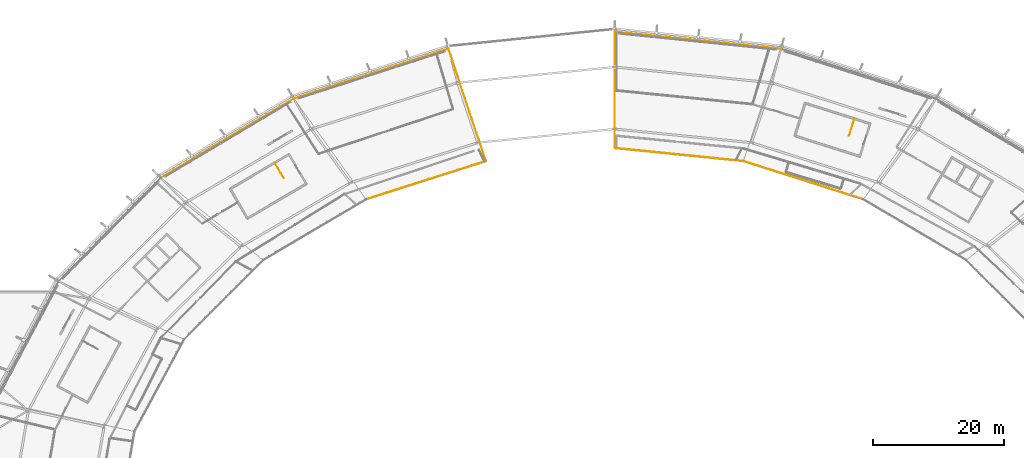
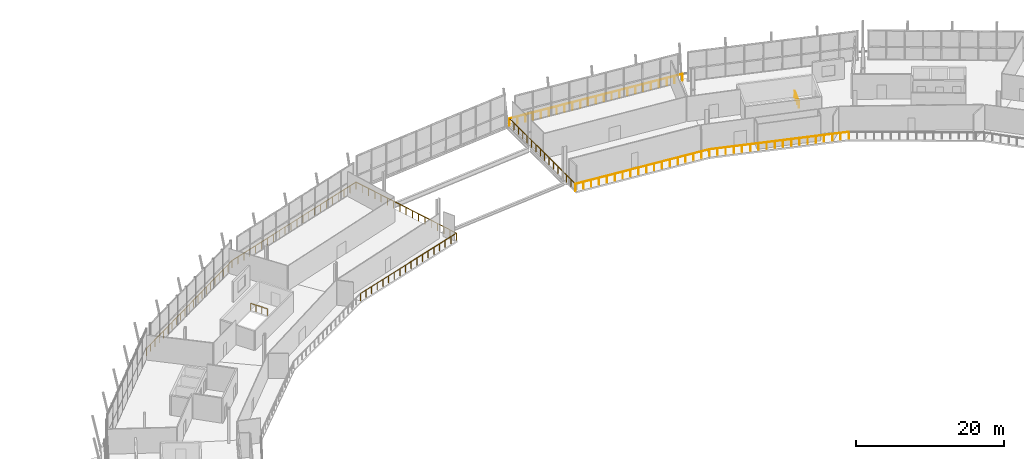
# One storey, part 98 of 99: 10 railings.
"""IFC4 building model written with IfcOpenShell, lengths in metres."""

import ifcopenshell
import ifcopenshell.guid

model = None  # the IFC model being written
_history = None  # IfcOwnerHistory: only IFC2X3 demands one
_inside = {}  # id of a spatial element -> (the spatial element, [elements in it])
_under = {}  # id of a project, library or spatial element -> (it, [spatial elements below it])
_declared = {}  # id of a project -> (the project, [libraries it declares])
_typed = {}  # id of a type object -> (the type object, [elements of that type])
_made_of = {}  # id of a material, layer set ... -> (it, [elements and type objects made of it])


def new_model(schema):
    """Start an empty IFC model of exactly this schema.

    Asked for "IFC4X3", IfcOpenShell would pick the latest addendum, in which some entities
    have other attributes; the version numbers below select the first issue.
    IFC2X3 requires an IfcOwnerHistory on every rooted entity: one is made here for all.
    """
    global model, _history
    if schema == "IFC4X3":
        model = ifcopenshell.file(schema_version=(4, 3, 0, 0))
    else:
        model = ifcopenshell.file(schema=schema)
    _inside.clear()
    _under.clear()
    _declared.clear()
    _typed.clear()
    _made_of.clear()
    _history = None
    if model.schema == "IFC2X3":
        org = make("IfcOrganization", Name="unknown")
        user = make(
            "IfcPersonAndOrganization",
            ThePerson=make("IfcPerson", FamilyName="unknown"),
            TheOrganization=org,
        )
        app = make(
            "IfcApplication",
            ApplicationDeveloper=org,
            Version="unknown",
            ApplicationFullName="unknown",
            ApplicationIdentifier="unknown",
        )
        _history = make(
            "IfcOwnerHistory",
            OwningUser=user,
            OwningApplication=app,
            ChangeAction="ADDED",
            CreationDate=0,
        )
    return model


def make(cls, **values):
    """One entity of the class cls with the attributes given. An attribute that is None is left unset."""
    return model.create_entity(
        cls, **{name: value for name, value in values.items() if value is not None}
    )


def rooted(cls, **values):
    """An entity with a GlobalId (a new one), such as an element, a storey or a relation."""
    return make(cls, GlobalId=ifcopenshell.guid.new(), OwnerHistory=_history, **values)


def si_unit(unit_type, name, prefix=None):
    """IfcSIUnit, for example si_unit("LENGTHUNIT", "METRE", prefix="MILLI")."""
    return make("IfcSIUnit", UnitType=unit_type, Prefix=prefix, Name=name)


def assignment(units):
    """IfcUnitAssignment: the units of a project."""
    return None if units is None else make("IfcUnitAssignment", Units=units)


def point(xyz):
    """IfcCartesianPoint."""
    return None if xyz is None else make("IfcCartesianPoint", Coordinates=xyz)


def direction(xyz):
    """IfcDirection."""
    return None if xyz is None else make("IfcDirection", DirectionRatios=xyz)


def frame(location, z_axis=None, x_axis=None):
    """IfcAxis2Placement3D, a coordinate frame: its origin and axes. An axis left out is left unset."""
    return make(
        "IfcAxis2Placement3D",
        Location=point(location),
        Axis=direction(z_axis),
        RefDirection=direction(x_axis),
    )


def frame_2d(location, x_axis=None):
    """IfcAxis2Placement2D, a coordinate frame in the plane: its origin and x axis."""
    return make(
        "IfcAxis2Placement2D", Location=point(location), RefDirection=direction(x_axis)
    )


def origin():
    """The frame at (0, 0, 0) with its axes left unset."""
    return frame((0.0, 0.0, 0.0))


def origin_2d():
    """The frame at (0, 0) in the plane with its x axis left unset."""
    return frame_2d((0.0, 0.0))


def place(relative_to, where):
    """IfcLocalPlacement: puts the frame where relative to a parent placement (None: the world)."""
    return make(
        "IfcLocalPlacement", PlacementRelTo=relative_to, RelativePlacement=where
    )


def context(
    kind, dimensions, precision=None, world=None, true_north=None, identifier=None
):
    """IfcGeometricRepresentationContext, for example the 3D "Model" context."""
    return make(
        "IfcGeometricRepresentationContext",
        ContextIdentifier=identifier,
        ContextType=kind,
        CoordinateSpaceDimension=dimensions,
        Precision=precision,
        WorldCoordinateSystem=world,
        TrueNorth=true_north,
    )


def subcontext(parent, identifier, kind, view, scale=None):
    """IfcGeometricRepresentationSubContext, for example "Body" below "Model"."""
    return make(
        "IfcGeometricRepresentationSubContext",
        ContextIdentifier=identifier,
        ContextType=kind,
        ParentContext=parent,
        TargetScale=scale,
        TargetView=view,
    )


def project(units=None, contexts=None):
    """IfcProject with its units and contexts."""
    return rooted(
        "IfcProject",
        Name="project",
        RepresentationContexts=contexts,
        UnitsInContext=assignment(units),
    )


def spatial(cls, under=None, at=None, **own):
    """A site, building, storey or space (cls), placed at a placement, below another one or the project."""
    s = rooted(cls, ObjectPlacement=at, **own)
    if under is not None:
        _under.setdefault(under.id(), (under, []))[1].append(s)
    return s


def profile(cls, at=None, kind="AREA", **sizes):
    """A parametric profile (cls). Its sizes go by their IFC names, for example OverallWidth=200.0."""
    return make(cls, ProfileType=kind, Position=at, **sizes)


def rectangle(**sizes):
    """IfcRectangleProfileDef."""
    return profile("IfcRectangleProfileDef", **sizes)


def extrude(swept, where, along, depth):
    """IfcExtrudedAreaSolid: the profile swept, set in the frame where, extruded along a direction by depth."""
    return make(
        "IfcExtrudedAreaSolid",
        SweptArea=swept,
        Position=where,
        ExtrudedDirection=direction(along),
        Depth=depth,
    )


def shape(context_of_items, identifier, shape_type, items):
    """IfcShapeRepresentation: the items that make up one representation, for example the "Body"."""
    return make(
        "IfcShapeRepresentation",
        ContextOfItems=context_of_items,
        RepresentationIdentifier=identifier,
        RepresentationType=shape_type,
        Items=items,
    )


def material(Name=None, Category=None):
    """IfcMaterial."""
    return make("IfcMaterial", Name=Name, Category=Category)


def made_of(thing, what):
    """Note that an element or type object is made of a material, layer set ...; save() writes the relation."""
    if what is not None:
        _made_of.setdefault(what.id(), (what, []))[1].append(thing)
    return thing


def type_object(cls, material=None, **own):
    """A type object (cls), such as IfcWallType, which elements share."""
    return made_of(rooted(cls, **own), material)


def element(
    cls,
    number,
    at=None,
    inside=None,
    cuts=None,
    type_object=None,
    material=None,
    context=None,
    identifier="Body",
    shape_type=None,
    held_by="IfcProductDefinitionShape",
    body=None,
    shapes=None,
    **own,
):
    """One element of the class cls, such as IfcWall. Its Tag is "e" and its number.

    at: its placement. inside: the storey or other place that contains it. cuts: it is an
    opening in that element (IfcRelVoidsElement). A single representation is given by context,
    identifier, shape_type and body (its items); several are given by shapes. held_by: the class
    of the entity that holds the representations. save() writes the other relations.
    """
    e = rooted(cls, Tag="e%d" % number, ObjectPlacement=at, **own)
    if body is not None:
        shapes = [shape(context, identifier, shape_type, body)]
    if shapes is not None:
        e.Representation = make(held_by, Representations=shapes)
    if inside is not None:
        _inside.setdefault(inside.id(), (inside, []))[1].append(e)
    if cuts is not None:
        rooted(
            "IfcRelVoidsElement", RelatingBuildingElement=cuts, RelatedOpeningElement=e
        )
    if type_object is not None:
        _typed.setdefault(type_object.id(), (type_object, []))[1].append(e)
    return made_of(e, material)


def aggregate(whole, parts):
    """IfcRelAggregates: a whole, such as a stair, and the parts it consists of."""
    return rooted("IfcRelAggregates", RelatingObject=whole, RelatedObjects=parts)


def save(model, path):
    """Write the relations noted so far, then the file.

    IfcRelAggregates (storeys below a building ...), IfcRelContainedInSpatialStructure (elements
    in a storey), IfcRelDefinesByType, IfcRelAssociatesMaterial and IfcRelDeclares: one each for
    every whole, place, type object, material and project.
    """
    for whole, parts in _under.values():
        aggregate(whole, parts)
    for where, things in _inside.values():
        rooted(
            "IfcRelContainedInSpatialStructure",
            RelatedElements=things,
            RelatingStructure=where,
        )
    for kind, things in _typed.values():
        rooted("IfcRelDefinesByType", RelatedObjects=things, RelatingType=kind)
    for what, things in _made_of.values():
        rooted("IfcRelAssociatesMaterial", RelatedObjects=things, RelatingMaterial=what)
    for by, libraries in _declared.values():
        rooted("IfcRelDeclares", RelatingContext=by, RelatedDefinitions=libraries)
    model.write(path)


model = new_model("IFC4")

# Units and contexts
model_context = context("Model", 3, precision=1e-05, world=origin(), true_north=direction((0.0, 1.0)))
body_context = subcontext(model_context, "Body", "Model", "MODEL_VIEW")
ifc_project = project(units=[si_unit("LENGTHUNIT", "METRE"), si_unit("AREAUNIT", "SQUARE_METRE"), si_unit("VOLUMEUNIT", "CUBIC_METRE"), si_unit("PLANEANGLEUNIT", "RADIAN"), si_unit("MASSUNIT", "GRAM", prefix="KILO")], contexts=[model_context])

# Site, building, storey
site_placement = place(None, origin())
site = spatial("IfcSite", under=ifc_project, at=site_placement, CompositionType="ELEMENT")
building_placement = place(site_placement, origin())
building = spatial("IfcBuilding", under=site, at=building_placement, Name="Zlatoyarsky Gate Stadium", CompositionType="ELEMENT")
storey_placement = place(building_placement, frame((0.0, 0.0, 26.199951171875)))
storey = spatial("IfcBuildingStorey", under=building, at=storey_placement, Name="L05", CompositionType="ELEMENT", Elevation=26.199951171875)

# Railings
ifc_material_1 = material(Name="Powder-coated steel tubular guardrail", Category="steel")
railing_type_1 = type_object("IfcRailingType", Name="CONCOURSE SLAB EDGE GUARDRAIL 1200", PredefinedType="GUARDRAIL", material=ifc_material_1)
railing_1_placement = place(storey_placement, frame((149.090087890625, 130.731689453125, 0.0)))
element("IfcRailing", 1, at=railing_1_placement, inside=storey, type_object=railing_type_1, Name="L05 inner bowl edge guardrail 04", PredefinedType="GUARDRAIL", context=body_context, shape_type="SweptSolid", body=[
    extrude(rectangle(XDim=0.048095703125, YDim=0.048095703125, at=origin_2d()), frame((0.0, 0.0, 1.17578125), z_axis=(-0.952832118887, 0.303497863612, 0.0), x_axis=(-0.303497863612, -0.952832118887, 0.0)), (0.0, 0.0, 1.0), 19.28271484375),
    extrude(rectangle(XDim=0.0419921875, YDim=0.0419921875, at=origin_2d()), origin(), (0.0, 0.0, 1.0), 1.15185546875),
    extrude(rectangle(XDim=0.0419921875, YDim=0.0419921875, at=origin_2d()), frame((-1.080810546875, 0.34423828125, 0.0)), (0.0, 0.0, 1.0), 1.15185546875),
    extrude(rectangle(XDim=0.0419921875, YDim=0.0419921875, at=origin_2d()), frame((-2.16162109375, 0.6884765625, 0.0)), (0.0, 0.0, 1.0), 1.15185546875),
    extrude(rectangle(XDim=0.0419921875, YDim=0.0419921875, at=origin_2d()), frame((-3.242431640625, 1.03271484375, 0.0)), (0.0, 0.0, 1.0), 1.15185546875),
    extrude(rectangle(XDim=0.0419921875, YDim=0.0419921875, at=origin_2d()), frame((-4.3232421875, 1.376953125, 0.0)), (0.0, 0.0, 1.0), 1.15185546875),
    extrude(rectangle(XDim=0.0419921875, YDim=0.0419921875, at=origin_2d()), frame((-5.40380859375, 1.72119140625, 0.0)), (0.0, 0.0, 1.0), 1.15185546875),
    extrude(rectangle(XDim=0.0419921875, YDim=0.0419921875, at=origin_2d()), frame((-6.484619140625, 2.0654296875, 0.0)), (0.0, 0.0, 1.0), 1.15185546875),
    extrude(rectangle(XDim=0.0419921875, YDim=0.0419921875, at=origin_2d()), frame((-7.5654296875, 2.40966796875, 0.0)), (0.0, 0.0, 1.0), 1.15185546875),
    extrude(rectangle(XDim=0.0419921875, YDim=0.0419921875, at=origin_2d()), frame((-8.646240234375, 2.75390625, 0.0)), (0.0, 0.0, 1.0), 1.15185546875),
    extrude(rectangle(XDim=0.0419921875, YDim=0.0419921875, at=origin_2d()), frame((-9.72705078125, 3.098388671875, 0.0)), (0.0, 0.0, 1.0), 1.15185546875),
    extrude(rectangle(XDim=0.0419921875, YDim=0.0419921875, at=origin_2d()), frame((-10.807861328125, 3.442626953125, 0.0)), (0.0, 0.0, 1.0), 1.15185546875),
    extrude(rectangle(XDim=0.0419921875, YDim=0.0419921875, at=origin_2d()), frame((-11.888671875, 3.786865234375, 0.0)), (0.0, 0.0, 1.0), 1.15185546875),
    extrude(rectangle(XDim=0.0419921875, YDim=0.0419921875, at=origin_2d()), frame((-12.969482421875, 4.131103515625, 0.0)), (0.0, 0.0, 1.0), 1.15185546875),
    extrude(rectangle(XDim=0.0419921875, YDim=0.0419921875, at=origin_2d()), frame((-14.050048828125, 4.475341796875, 0.0)), (0.0, 0.0, 1.0), 1.15185546875),
    extrude(rectangle(XDim=0.0419921875, YDim=0.0419921875, at=origin_2d()), frame((-15.130859375, 4.819580078125, 0.0)), (0.0, 0.0, 1.0), 1.15185546875),
    extrude(rectangle(XDim=0.0419921875, YDim=0.0419921875, at=origin_2d()), frame((-16.211669921875, 5.163818359375, 0.0)), (0.0, 0.0, 1.0), 1.15185546875),
    extrude(rectangle(XDim=0.0419921875, YDim=0.0419921875, at=origin_2d()), frame((-17.29248046875, 5.508056640625, 0.0)), (0.0, 0.0, 1.0), 1.15185546875),
    extrude(rectangle(XDim=0.0419921875, YDim=0.0419921875, at=origin_2d()), frame((-18.373291015625, 5.852294921875, 0.0)), (0.0, 0.0, 1.0), 1.15185546875),
])
railing_2_placement = place(storey_placement, frame((130.716796875, 136.583984375, 0.0)))
element("IfcRailing", 2, at=railing_2_placement, inside=storey, type_object=railing_type_1, Name="L05 inner bowl edge guardrail 05", PredefinedType="GUARDRAIL", context=body_context, shape_type="SweptSolid", body=[
    extrude(rectangle(XDim=0.048095703125, YDim=0.048095703125, at=origin_2d()), frame((0.0, 0.0, 1.17578125), z_axis=(-0.99491446839, 0.100723386498, 0.0), x_axis=(-0.100723386498, -0.99491446839, 0.0)), (0.0, 0.0, 1.0), 19.817626953125),
    extrude(rectangle(XDim=0.0419921875, YDim=0.0419921875, at=origin_2d()), origin(), (0.0, 0.0, 1.0), 1.15185546875),
    extrude(rectangle(XDim=0.0419921875, YDim=0.0419921875, at=origin_2d()), frame((-1.159912109375, 0.117431640625, 0.0)), (0.0, 0.0, 1.0), 1.15185546875),
    extrude(rectangle(XDim=0.0419921875, YDim=0.0419921875, at=origin_2d()), frame((-2.319580078125, 0.23486328125, 0.0)), (0.0, 0.0, 1.0), 1.15185546875),
    extrude(rectangle(XDim=0.0419921875, YDim=0.0419921875, at=origin_2d()), frame((-3.4794921875, 0.352294921875, 0.0)), (0.0, 0.0, 1.0), 1.15185546875),
    extrude(rectangle(XDim=0.0419921875, YDim=0.0419921875, at=origin_2d()), frame((-4.63916015625, 0.4697265625, 0.0)), (0.0, 0.0, 1.0), 1.15185546875),
    extrude(rectangle(XDim=0.0419921875, YDim=0.0419921875, at=origin_2d()), frame((-5.799072265625, 0.587158203125, 0.0)), (0.0, 0.0, 1.0), 1.15185546875),
    extrude(rectangle(XDim=0.0419921875, YDim=0.0419921875, at=origin_2d()), frame((-6.958984375, 0.70458984375, 0.0)), (0.0, 0.0, 1.0), 1.15185546875),
    extrude(rectangle(XDim=0.0419921875, YDim=0.0419921875, at=origin_2d()), frame((-8.11865234375, 0.822021484375, 0.0)), (0.0, 0.0, 1.0), 1.15185546875),
    extrude(rectangle(XDim=0.0419921875, YDim=0.0419921875, at=origin_2d()), frame((-9.278564453125, 0.939453125, 0.0)), (0.0, 0.0, 1.0), 1.15185546875),
    extrude(rectangle(XDim=0.0419921875, YDim=0.0419921875, at=origin_2d()), frame((-10.438232421875, 1.056640625, 0.0)), (0.0, 0.0, 1.0), 1.15185546875),
    extrude(rectangle(XDim=0.0419921875, YDim=0.0419921875, at=origin_2d()), frame((-11.59814453125, 1.174072265625, 0.0)), (0.0, 0.0, 1.0), 1.15185546875),
    extrude(rectangle(XDim=0.0419921875, YDim=0.0419921875, at=origin_2d()), frame((-12.7578125, 1.29150390625, 0.0)), (0.0, 0.0, 1.0), 1.15185546875),
    extrude(rectangle(XDim=0.0419921875, YDim=0.0419921875, at=origin_2d()), frame((-13.917724609375, 1.408935546875, 0.0)), (0.0, 0.0, 1.0), 1.15185546875),
    extrude(rectangle(XDim=0.0419921875, YDim=0.0419921875, at=origin_2d()), frame((-15.07763671875, 1.5263671875, 0.0)), (0.0, 0.0, 1.0), 1.15185546875),
    extrude(rectangle(XDim=0.0419921875, YDim=0.0419921875, at=origin_2d()), frame((-16.2373046875, 1.643798828125, 0.0)), (0.0, 0.0, 1.0), 1.15185546875),
    extrude(rectangle(XDim=0.0419921875, YDim=0.0419921875, at=origin_2d()), frame((-17.397216796875, 1.76123046875, 0.0)), (0.0, 0.0, 1.0), 1.15185546875),
    extrude(rectangle(XDim=0.0419921875, YDim=0.0419921875, at=origin_2d()), frame((-18.556884765625, 1.878662109375, 0.0)), (0.0, 0.0, 1.0), 1.15185546875),
    extrude(rectangle(XDim=0.0419921875, YDim=0.0419921875, at=origin_2d()), frame((-19.716796875, 1.99609375, 0.0)), (0.0, 0.0, 1.0), 1.15185546875),
])
railing_3_placement = place(storey_placement, frame((91.283203125, 136.583984375, 0.0)))
element("IfcRailing", 3, at=railing_3_placement, inside=storey, type_object=railing_type_1, Name="L05 inner bowl edge guardrail 07", PredefinedType="GUARDRAIL", context=body_context, shape_type="SweptSolid", body=[
    extrude(rectangle(XDim=0.048095703125, YDim=0.048095703125, at=origin_2d()), frame((0.0, 0.0, 1.17578125), z_axis=(-0.952832118887, -0.303497863612, 0.0), x_axis=(0.303497863612, -0.952832118887, 0.0)), (0.0, 0.0, 1.0), 19.28271484375),
    extrude(rectangle(XDim=0.0419921875, YDim=0.0419921875, at=origin_2d()), origin(), (0.0, 0.0, 1.0), 1.15185546875),
    extrude(rectangle(XDim=0.0419921875, YDim=0.0419921875, at=origin_2d()), frame((-1.080810546875, -0.34423828125, 0.0)), (0.0, 0.0, 1.0), 1.15185546875),
    extrude(rectangle(XDim=0.0419921875, YDim=0.0419921875, at=origin_2d()), frame((-2.16162109375, -0.6884765625, 0.0)), (0.0, 0.0, 1.0), 1.15185546875),
    extrude(rectangle(XDim=0.0419921875, YDim=0.0419921875, at=origin_2d()), frame((-3.242431640625, -1.03271484375, 0.0)), (0.0, 0.0, 1.0), 1.15185546875),
    extrude(rectangle(XDim=0.0419921875, YDim=0.0419921875, at=origin_2d()), frame((-4.3232421875, -1.376953125, 0.0)), (0.0, 0.0, 1.0), 1.15185546875),
    extrude(rectangle(XDim=0.0419921875, YDim=0.0419921875, at=origin_2d()), frame((-5.40380859375, -1.72119140625, 0.0)), (0.0, 0.0, 1.0), 1.15185546875),
    extrude(rectangle(XDim=0.0419921875, YDim=0.0419921875, at=origin_2d()), frame((-6.484619140625, -2.0654296875, 0.0)), (0.0, 0.0, 1.0), 1.15185546875),
    extrude(rectangle(XDim=0.0419921875, YDim=0.0419921875, at=origin_2d()), frame((-7.5654296875, -2.40966796875, 0.0)), (0.0, 0.0, 1.0), 1.15185546875),
    extrude(rectangle(XDim=0.0419921875, YDim=0.0419921875, at=origin_2d()), frame((-8.646240234375, -2.75390625, 0.0)), (0.0, 0.0, 1.0), 1.15185546875),
    extrude(rectangle(XDim=0.0419921875, YDim=0.0419921875, at=origin_2d()), frame((-9.72705078125, -3.098388671875, 0.0)), (0.0, 0.0, 1.0), 1.15185546875),
    extrude(rectangle(XDim=0.0419921875, YDim=0.0419921875, at=origin_2d()), frame((-10.807861328125, -3.442626953125, 0.0)), (0.0, 0.0, 1.0), 1.15185546875),
    extrude(rectangle(XDim=0.0419921875, YDim=0.0419921875, at=origin_2d()), frame((-11.888671875, -3.786865234375, 0.0)), (0.0, 0.0, 1.0), 1.15185546875),
    extrude(rectangle(XDim=0.0419921875, YDim=0.0419921875, at=origin_2d()), frame((-12.969482421875, -4.131103515625, 0.0)), (0.0, 0.0, 1.0), 1.15185546875),
    extrude(rectangle(XDim=0.0419921875, YDim=0.0419921875, at=origin_2d()), frame((-14.050048828125, -4.475341796875, 0.0)), (0.0, 0.0, 1.0), 1.15185546875),
    extrude(rectangle(XDim=0.0419921875, YDim=0.0419921875, at=origin_2d()), frame((-15.130859375, -4.819580078125, 0.0)), (0.0, 0.0, 1.0), 1.15185546875),
    extrude(rectangle(XDim=0.0419921875, YDim=0.0419921875, at=origin_2d()), frame((-16.211669921875, -5.163818359375, 0.0)), (0.0, 0.0, 1.0), 1.15185546875),
    extrude(rectangle(XDim=0.0419921875, YDim=0.0419921875, at=origin_2d()), frame((-17.29248046875, -5.508056640625, 0.0)), (0.0, 0.0, 1.0), 1.15185546875),
    extrude(rectangle(XDim=0.0419921875, YDim=0.0419921875, at=origin_2d()), frame((-18.373291015625, -5.852294921875, 0.0)), (0.0, 0.0, 1.0), 1.15185546875),
])
railing_4_placement = place(storey_placement, frame((136.462158203125, 153.775634765625, 0.0)))
element("IfcRailing", 4, at=railing_4_placement, inside=storey, type_object=railing_type_1, Name="L05 outer slab edge guardrail 05", PredefinedType="GUARDRAIL", context=body_context, shape_type="SweptSolid", body=[
    extrude(rectangle(XDim=0.048095703125, YDim=0.048095703125, at=origin_2d()), frame((0.0, 0.0, 1.17578125), z_axis=(-0.994816926394, 0.101682264729, 0.0), x_axis=(-0.101682264729, -0.994816926394, 0.0)), (0.0, 0.0, 1.0), 25.5947265625),
    extrude(rectangle(XDim=0.0419921875, YDim=0.0419921875, at=origin_2d()), origin(), (0.0, 0.0, 1.0), 1.15185546875),
    extrude(rectangle(XDim=0.0419921875, YDim=0.0419921875, at=origin_2d()), frame((-1.157470703125, 0.118408203125, 0.0)), (0.0, 0.0, 1.0), 1.15185546875),
    extrude(rectangle(XDim=0.0419921875, YDim=0.0419921875, at=origin_2d()), frame((-2.314697265625, 0.236572265625, 0.0)), (0.0, 0.0, 1.0), 1.15185546875),
    extrude(rectangle(XDim=0.0419921875, YDim=0.0419921875, at=origin_2d()), frame((-3.47216796875, 0.35498046875, 0.0)), (0.0, 0.0, 1.0), 1.15185546875),
    extrude(rectangle(XDim=0.0419921875, YDim=0.0419921875, at=origin_2d()), frame((-4.62939453125, 0.47314453125, 0.0)), (0.0, 0.0, 1.0), 1.15185546875),
    extrude(rectangle(XDim=0.0419921875, YDim=0.0419921875, at=origin_2d()), frame((-5.786865234375, 0.591552734375, 0.0)), (0.0, 0.0, 1.0), 1.15185546875),
    extrude(rectangle(XDim=0.0419921875, YDim=0.0419921875, at=origin_2d()), frame((-6.9443359375, 0.709716796875, 0.0)), (0.0, 0.0, 1.0), 1.15185546875),
    extrude(rectangle(XDim=0.0419921875, YDim=0.0419921875, at=origin_2d()), frame((-8.1015625, 0.828125, 0.0)), (0.0, 0.0, 1.0), 1.15185546875),
    extrude(rectangle(XDim=0.0419921875, YDim=0.0419921875, at=origin_2d()), frame((-9.259033203125, 0.9462890625, 0.0)), (0.0, 0.0, 1.0), 1.15185546875),
    extrude(rectangle(XDim=0.0419921875, YDim=0.0419921875, at=origin_2d()), frame((-10.416259765625, 1.064697265625, 0.0)), (0.0, 0.0, 1.0), 1.15185546875),
    extrude(rectangle(XDim=0.0419921875, YDim=0.0419921875, at=origin_2d()), frame((-11.57373046875, 1.182861328125, 0.0)), (0.0, 0.0, 1.0), 1.15185546875),
    extrude(rectangle(XDim=0.0419921875, YDim=0.0419921875, at=origin_2d()), frame((-12.73095703125, 1.30126953125, 0.0)), (0.0, 0.0, 1.0), 1.15185546875),
    extrude(rectangle(XDim=0.0419921875, YDim=0.0419921875, at=origin_2d()), frame((-13.888427734375, 1.419677734375, 0.0)), (0.0, 0.0, 1.0), 1.15185546875),
    extrude(rectangle(XDim=0.0419921875, YDim=0.0419921875, at=origin_2d()), frame((-15.0458984375, 1.537841796875, 0.0)), (0.0, 0.0, 1.0), 1.15185546875),
    extrude(rectangle(XDim=0.0419921875, YDim=0.0419921875, at=origin_2d()), frame((-16.203125, 1.65625, 0.0)), (0.0, 0.0, 1.0), 1.15185546875),
    extrude(rectangle(XDim=0.0419921875, YDim=0.0419921875, at=origin_2d()), frame((-17.360595703125, 1.7744140625, 0.0)), (0.0, 0.0, 1.0), 1.15185546875),
    extrude(rectangle(XDim=0.0419921875, YDim=0.0419921875, at=origin_2d()), frame((-18.517822265625, 1.892822265625, 0.0)), (0.0, 0.0, 1.0), 1.15185546875),
    extrude(rectangle(XDim=0.0419921875, YDim=0.0419921875, at=origin_2d()), frame((-19.67529296875, 2.010986328125, 0.0)), (0.0, 0.0, 1.0), 1.15185546875),
    extrude(rectangle(XDim=0.0419921875, YDim=0.0419921875, at=origin_2d()), frame((-20.832763671875, 2.12939453125, 0.0)), (0.0, 0.0, 1.0), 1.15185546875),
    extrude(rectangle(XDim=0.0419921875, YDim=0.0419921875, at=origin_2d()), frame((-21.989990234375, 2.24755859375, 0.0)), (0.0, 0.0, 1.0), 1.15185546875),
    extrude(rectangle(XDim=0.0419921875, YDim=0.0419921875, at=origin_2d()), frame((-23.1474609375, 2.365966796875, 0.0)), (0.0, 0.0, 1.0), 1.15185546875),
    extrude(rectangle(XDim=0.0419921875, YDim=0.0419921875, at=origin_2d()), frame((-24.3046875, 2.484130859375, 0.0)), (0.0, 0.0, 1.0), 1.15185546875),
    extrude(rectangle(XDim=0.0419921875, YDim=0.0419921875, at=origin_2d()), frame((-25.462158203125, 2.6025390625, 0.0)), (0.0, 0.0, 1.0), 1.15185546875),
])
railing_5_placement = place(storey_placement, frame((85.537841796875, 153.775634765625, 0.0)))
element("IfcRailing", 5, at=railing_5_placement, inside=storey, type_object=railing_type_1, Name="L05 outer slab edge guardrail 07", PredefinedType="GUARDRAIL", context=body_context, shape_type="SweptSolid", body=[
    extrude(rectangle(XDim=0.048095703125, YDim=0.048095703125, at=origin_2d()), frame((0.0, 0.0, 1.17578125), z_axis=(-0.951985847708, -0.306142035277, 0.0), x_axis=(0.306142035277, -0.951985847708, 0.0)), (0.0, 0.0, 1.0), 24.923583984375),
    extrude(rectangle(XDim=0.0419921875, YDim=0.0419921875, at=origin_2d()), origin(), (0.0, 0.0, 1.0), 1.15185546875),
    extrude(rectangle(XDim=0.0419921875, YDim=0.0419921875, at=origin_2d()), frame((-1.1298828125, -0.36328125, 0.0)), (0.0, 0.0, 1.0), 1.15185546875),
    extrude(rectangle(XDim=0.0419921875, YDim=0.0419921875, at=origin_2d()), frame((-2.259765625, -0.7265625, 0.0)), (0.0, 0.0, 1.0), 1.15185546875),
    extrude(rectangle(XDim=0.0419921875, YDim=0.0419921875, at=origin_2d()), frame((-3.3896484375, -1.090087890625, 0.0)), (0.0, 0.0, 1.0), 1.15185546875),
    extrude(rectangle(XDim=0.0419921875, YDim=0.0419921875, at=origin_2d()), frame((-4.519287109375, -1.453369140625, 0.0)), (0.0, 0.0, 1.0), 1.15185546875),
    extrude(rectangle(XDim=0.0419921875, YDim=0.0419921875, at=origin_2d()), frame((-5.649169921875, -1.816650390625, 0.0)), (0.0, 0.0, 1.0), 1.15185546875),
    extrude(rectangle(XDim=0.0419921875, YDim=0.0419921875, at=origin_2d()), frame((-6.779052734375, -2.179931640625, 0.0)), (0.0, 0.0, 1.0), 1.15185546875),
    extrude(rectangle(XDim=0.0419921875, YDim=0.0419921875, at=origin_2d()), frame((-7.908935546875, -2.54345703125, 0.0)), (0.0, 0.0, 1.0), 1.15185546875),
    extrude(rectangle(XDim=0.0419921875, YDim=0.0419921875, at=origin_2d()), frame((-9.038818359375, -2.90673828125, 0.0)), (0.0, 0.0, 1.0), 1.15185546875),
    extrude(rectangle(XDim=0.0419921875, YDim=0.0419921875, at=origin_2d()), frame((-10.168701171875, -3.27001953125, 0.0)), (0.0, 0.0, 1.0), 1.15185546875),
    extrude(rectangle(XDim=0.0419921875, YDim=0.0419921875, at=origin_2d()), frame((-11.298583984375, -3.63330078125, 0.0)), (0.0, 0.0, 1.0), 1.15185546875),
    extrude(rectangle(XDim=0.0419921875, YDim=0.0419921875, at=origin_2d()), frame((-12.42822265625, -3.996826171875, 0.0)), (0.0, 0.0, 1.0), 1.15185546875),
    extrude(rectangle(XDim=0.0419921875, YDim=0.0419921875, at=origin_2d()), frame((-13.55810546875, -4.360107421875, 0.0)), (0.0, 0.0, 1.0), 1.15185546875),
    extrude(rectangle(XDim=0.0419921875, YDim=0.0419921875, at=origin_2d()), frame((-14.68798828125, -4.723388671875, 0.0)), (0.0, 0.0, 1.0), 1.15185546875),
    extrude(rectangle(XDim=0.0419921875, YDim=0.0419921875, at=origin_2d()), frame((-15.81787109375, -5.086669921875, 0.0)), (0.0, 0.0, 1.0), 1.15185546875),
    extrude(rectangle(XDim=0.0419921875, YDim=0.0419921875, at=origin_2d()), frame((-16.94775390625, -5.4501953125, 0.0)), (0.0, 0.0, 1.0), 1.15185546875),
    extrude(rectangle(XDim=0.0419921875, YDim=0.0419921875, at=origin_2d()), frame((-18.07763671875, -5.8134765625, 0.0)), (0.0, 0.0, 1.0), 1.15185546875),
    extrude(rectangle(XDim=0.0419921875, YDim=0.0419921875, at=origin_2d()), frame((-19.20751953125, -6.1767578125, 0.0)), (0.0, 0.0, 1.0), 1.15185546875),
    extrude(rectangle(XDim=0.0419921875, YDim=0.0419921875, at=origin_2d()), frame((-20.337158203125, -6.5400390625, 0.0)), (0.0, 0.0, 1.0), 1.15185546875),
    extrude(rectangle(XDim=0.0419921875, YDim=0.0419921875, at=origin_2d()), frame((-21.467041015625, -6.903564453125, 0.0)), (0.0, 0.0, 1.0), 1.15185546875),
    extrude(rectangle(XDim=0.0419921875, YDim=0.0419921875, at=origin_2d()), frame((-22.596923828125, -7.266845703125, 0.0)), (0.0, 0.0, 1.0), 1.15185546875),
    extrude(rectangle(XDim=0.0419921875, YDim=0.0419921875, at=origin_2d()), frame((-23.726806640625, -7.630126953125, 0.0)), (0.0, 0.0, 1.0), 1.15185546875),
])
railing_6_placement = place(storey_placement, frame((61.81103515625, 146.1455078125, 0.0)))
element("IfcRailing", 6, at=railing_6_placement, inside=storey, type_object=railing_type_1, Name="L05 outer slab edge guardrail 08", PredefinedType="GUARDRAIL", context=body_context, shape_type="SweptSolid", body=[
    extrude(rectangle(XDim=0.048095703125, YDim=0.048095703125, at=origin_2d()), frame((0.0, 0.0, 1.17578125), z_axis=(-0.859105492357, -0.511798547283, 0.0), x_axis=(0.511798547283, -0.859105492357, 0.0)), (0.0, 0.0, 1.0), 23.71630859375),
    extrude(rectangle(XDim=0.0419921875, YDim=0.0419921875, at=origin_2d()), origin(), (0.0, 0.0, 1.0), 1.15185546875),
    extrude(rectangle(XDim=0.0419921875, YDim=0.0419921875, at=origin_2d()), frame((-1.018798828125, -0.60693359375, 0.0)), (0.0, 0.0, 1.0), 1.15185546875),
    extrude(rectangle(XDim=0.0419921875, YDim=0.0419921875, at=origin_2d()), frame((-2.03759765625, -1.2138671875, 0.0)), (0.0, 0.0, 1.0), 1.15185546875),
    extrude(rectangle(XDim=0.0419921875, YDim=0.0419921875, at=origin_2d()), frame((-3.05615234375, -1.82080078125, 0.0)), (0.0, 0.0, 1.0), 1.15185546875),
    extrude(rectangle(XDim=0.0419921875, YDim=0.0419921875, at=origin_2d()), frame((-4.074951171875, -2.427490234375, 0.0)), (0.0, 0.0, 1.0), 1.15185546875),
    extrude(rectangle(XDim=0.0419921875, YDim=0.0419921875, at=origin_2d()), frame((-5.09375, -3.034423828125, 0.0)), (0.0, 0.0, 1.0), 1.15185546875),
    extrude(rectangle(XDim=0.0419921875, YDim=0.0419921875, at=origin_2d()), frame((-6.1123046875, -3.641357421875, 0.0)), (0.0, 0.0, 1.0), 1.15185546875),
    extrude(rectangle(XDim=0.0419921875, YDim=0.0419921875, at=origin_2d()), frame((-7.131103515625, -4.248291015625, 0.0)), (0.0, 0.0, 1.0), 1.15185546875),
    extrude(rectangle(XDim=0.0419921875, YDim=0.0419921875, at=origin_2d()), frame((-8.14990234375, -4.855224609375, 0.0)), (0.0, 0.0, 1.0), 1.15185546875),
    extrude(rectangle(XDim=0.0419921875, YDim=0.0419921875, at=origin_2d()), frame((-9.168701171875, -5.462158203125, 0.0)), (0.0, 0.0, 1.0), 1.15185546875),
    extrude(rectangle(XDim=0.0419921875, YDim=0.0419921875, at=origin_2d()), frame((-10.1875, -6.06884765625, 0.0)), (0.0, 0.0, 1.0), 1.15185546875),
    extrude(rectangle(XDim=0.0419921875, YDim=0.0419921875, at=origin_2d()), frame((-11.2060546875, -6.67578125, 0.0)), (0.0, 0.0, 1.0), 1.15185546875),
    extrude(rectangle(XDim=0.0419921875, YDim=0.0419921875, at=origin_2d()), frame((-12.224853515625, -7.28271484375, 0.0)), (0.0, 0.0, 1.0), 1.15185546875),
    extrude(rectangle(XDim=0.0419921875, YDim=0.0419921875, at=origin_2d()), frame((-13.24365234375, -7.8896484375, 0.0)), (0.0, 0.0, 1.0), 1.15185546875),
    extrude(rectangle(XDim=0.0419921875, YDim=0.0419921875, at=origin_2d()), frame((-14.26220703125, -8.49658203125, 0.0)), (0.0, 0.0, 1.0), 1.15185546875),
    extrude(rectangle(XDim=0.0419921875, YDim=0.0419921875, at=origin_2d()), frame((-15.281005859375, -9.103515625, 0.0)), (0.0, 0.0, 1.0), 1.15185546875),
    extrude(rectangle(XDim=0.0419921875, YDim=0.0419921875, at=origin_2d()), frame((-16.2998046875, -9.71044921875, 0.0)), (0.0, 0.0, 1.0), 1.15185546875),
    extrude(rectangle(XDim=0.0419921875, YDim=0.0419921875, at=origin_2d()), frame((-17.318603515625, -10.317138671875, 0.0)), (0.0, 0.0, 1.0), 1.15185546875),
    extrude(rectangle(XDim=0.0419921875, YDim=0.0419921875, at=origin_2d()), frame((-18.33740234375, -10.924072265625, 0.0)), (0.0, 0.0, 1.0), 1.15185546875),
    extrude(rectangle(XDim=0.0419921875, YDim=0.0419921875, at=origin_2d()), frame((-19.35595703125, -11.531005859375, 0.0)), (0.0, 0.0, 1.0), 1.15185546875),
    extrude(rectangle(XDim=0.0419921875, YDim=0.0419921875, at=origin_2d()), frame((-20.374755859375, -12.137939453125, 0.0)), (0.0, 0.0, 1.0), 1.15185546875),
])
railing_7_placement = place(storey_placement, frame((111.0, 138.60009765625, 0.0)))
element("IfcRailing", 7, at=railing_7_placement, inside=storey, type_object=railing_type_1, Name="L05 gate arch radial guardrail 06A", PredefinedType="GUARDRAIL", context=body_context, shape_type="SweptSolid", body=[
    extrude(rectangle(XDim=0.048095703125, YDim=0.048095703125, at=origin_2d()), frame((0.0, 0.0, 1.17578125), z_axis=(0.0, 1.0, 0.0), x_axis=(-1.0, 0.0, 0.0)), (0.0, 0.0, 1.0), 17.778076171875),
    extrude(rectangle(XDim=0.0419921875, YDim=0.0419921875, at=origin_2d()), origin(), (0.0, 0.0, 1.0), 1.15185546875),
    extrude(rectangle(XDim=0.0419921875, YDim=0.0419921875, at=origin_2d()), frame((0.0, 1.185302734375, 0.0)), (0.0, 0.0, 1.0), 1.15185546875),
    extrude(rectangle(XDim=0.0419921875, YDim=0.0419921875, at=origin_2d()), frame((0.0, 2.370361328125, 0.0)), (0.0, 0.0, 1.0), 1.15185546875),
    extrude(rectangle(XDim=0.0419921875, YDim=0.0419921875, at=origin_2d()), frame((0.0, 3.5556640625, 0.0)), (0.0, 0.0, 1.0), 1.15185546875),
    extrude(rectangle(XDim=0.0419921875, YDim=0.0419921875, at=origin_2d()), frame((0.0, 4.74072265625, 0.0)), (0.0, 0.0, 1.0), 1.15185546875),
    extrude(rectangle(XDim=0.0419921875, YDim=0.0419921875, at=origin_2d()), frame((0.0, 5.926025390625, 0.0)), (0.0, 0.0, 1.0), 1.15185546875),
    extrude(rectangle(XDim=0.0419921875, YDim=0.0419921875, at=origin_2d()), frame((0.0, 7.111328125, 0.0)), (0.0, 0.0, 1.0), 1.15185546875),
    extrude(rectangle(XDim=0.0419921875, YDim=0.0419921875, at=origin_2d()), frame((0.0, 8.29638671875, 0.0)), (0.0, 0.0, 1.0), 1.15185546875),
    extrude(rectangle(XDim=0.0419921875, YDim=0.0419921875, at=origin_2d()), frame((0.0, 9.481689453125, 0.0)), (0.0, 0.0, 1.0), 1.15185546875),
    extrude(rectangle(XDim=0.0419921875, YDim=0.0419921875, at=origin_2d()), frame((0.0, 10.666748046875, 0.0)), (0.0, 0.0, 1.0), 1.15185546875),
    extrude(rectangle(XDim=0.0419921875, YDim=0.0419921875, at=origin_2d()), frame((0.0, 11.85205078125, 0.0)), (0.0, 0.0, 1.0), 1.15185546875),
    extrude(rectangle(XDim=0.0419921875, YDim=0.0419921875, at=origin_2d()), frame((0.0, 13.037353515625, 0.0)), (0.0, 0.0, 1.0), 1.15185546875),
    extrude(rectangle(XDim=0.0419921875, YDim=0.0419921875, at=origin_2d()), frame((0.0, 14.222412109375, 0.0)), (0.0, 0.0, 1.0), 1.15185546875),
    extrude(rectangle(XDim=0.0419921875, YDim=0.0419921875, at=origin_2d()), frame((0.0, 15.40771484375, 0.0)), (0.0, 0.0, 1.0), 1.15185546875),
    extrude(rectangle(XDim=0.0419921875, YDim=0.0419921875, at=origin_2d()), frame((0.0, 16.5927734375, 0.0)), (0.0, 0.0, 1.0), 1.15185546875),
    extrude(rectangle(XDim=0.0419921875, YDim=0.0419921875, at=origin_2d()), frame((0.0, 17.778076171875, 0.0)), (0.0, 0.0, 1.0), 1.15185546875),
])
railing_8_placement = place(storey_placement, frame((91.278076171875, 136.603271484375, 0.0)))
element("IfcRailing", 8, at=railing_8_placement, inside=storey, type_object=railing_type_1, Name="L05 gate arch radial guardrail 06B", PredefinedType="GUARDRAIL", context=body_context, shape_type="SweptSolid", body=[
    extrude(rectangle(XDim=0.048095703125, YDim=0.048095703125, at=origin_2d()), frame((0.0, 0.0, 1.17578125), z_axis=(-0.31702858467, 0.948415982838, 0.0), x_axis=(-0.948415982838, -0.31702858467, 0.0)), (0.0, 0.0, 1.0), 18.1064453125),
    extrude(rectangle(XDim=0.0419921875, YDim=0.0419921875, at=origin_2d()), origin(), (0.0, 0.0, 1.0), 1.15185546875),
    extrude(rectangle(XDim=0.0419921875, YDim=0.0419921875, at=origin_2d()), frame((-0.35888671875, 1.0732421875, 0.0)), (0.0, 0.0, 1.0), 1.15185546875),
    extrude(rectangle(XDim=0.0419921875, YDim=0.0419921875, at=origin_2d()), frame((-0.717529296875, 2.146484375, 0.0)), (0.0, 0.0, 1.0), 1.15185546875),
    extrude(rectangle(XDim=0.0419921875, YDim=0.0419921875, at=origin_2d()), frame((-1.076171875, 3.2197265625, 0.0)), (0.0, 0.0, 1.0), 1.15185546875),
    extrude(rectangle(XDim=0.0419921875, YDim=0.0419921875, at=origin_2d()), frame((-1.43505859375, 4.29296875, 0.0)), (0.0, 0.0, 1.0), 1.15185546875),
    extrude(rectangle(XDim=0.0419921875, YDim=0.0419921875, at=origin_2d()), frame((-1.7939453125, 5.366455078125, 0.0)), (0.0, 0.0, 1.0), 1.15185546875),
    extrude(rectangle(XDim=0.0419921875, YDim=0.0419921875, at=origin_2d()), frame((-2.152587890625, 6.439697265625, 0.0)), (0.0, 0.0, 1.0), 1.15185546875),
    extrude(rectangle(XDim=0.0419921875, YDim=0.0419921875, at=origin_2d()), frame((-2.51123046875, 7.512939453125, 0.0)), (0.0, 0.0, 1.0), 1.15185546875),
    extrude(rectangle(XDim=0.0419921875, YDim=0.0419921875, at=origin_2d()), frame((-2.8701171875, 8.586181640625, 0.0)), (0.0, 0.0, 1.0), 1.15185546875),
    extrude(rectangle(XDim=0.0419921875, YDim=0.0419921875, at=origin_2d()), frame((-3.22900390625, 9.659423828125, 0.0)), (0.0, 0.0, 1.0), 1.15185546875),
    extrude(rectangle(XDim=0.0419921875, YDim=0.0419921875, at=origin_2d()), frame((-3.587646484375, 10.732666015625, 0.0)), (0.0, 0.0, 1.0), 1.15185546875),
    extrude(rectangle(XDim=0.0419921875, YDim=0.0419921875, at=origin_2d()), frame((-3.9462890625, 11.805908203125, 0.0)), (0.0, 0.0, 1.0), 1.15185546875),
    extrude(rectangle(XDim=0.0419921875, YDim=0.0419921875, at=origin_2d()), frame((-4.30517578125, 12.87939453125, 0.0)), (0.0, 0.0, 1.0), 1.15185546875),
    extrude(rectangle(XDim=0.0419921875, YDim=0.0419921875, at=origin_2d()), frame((-4.6640625, 13.95263671875, 0.0)), (0.0, 0.0, 1.0), 1.15185546875),
    extrude(rectangle(XDim=0.0419921875, YDim=0.0419921875, at=origin_2d()), frame((-5.022705078125, 15.02587890625, 0.0)), (0.0, 0.0, 1.0), 1.15185546875),
    extrude(rectangle(XDim=0.0419921875, YDim=0.0419921875, at=origin_2d()), frame((-5.38134765625, 16.09912109375, 0.0)), (0.0, 0.0, 1.0), 1.15185546875),
    extrude(rectangle(XDim=0.0419921875, YDim=0.0419921875, at=origin_2d()), frame((-5.740234375, 17.17236328125, 0.0)), (0.0, 0.0, 1.0), 1.15185546875),
])
ifc_material_2 = material(Name="Powder-coated steel stair guardrail", Category="steel")
railing_type_2 = type_object("IfcRailingType", Name="PAINTED STEEL STAIR WELL GUARDRAIL 1150", PredefinedType="GUARDRAIL", material=ifc_material_2)
railing_9_placement = place(storey_placement, frame((147.700927734375, 142.94921875, 0.0)))
element("IfcRailing", 9, at=railing_9_placement, inside=storey, type_object=railing_type_2, Name="ST-03 L05 top well guard 1", PredefinedType="GUARDRAIL", context=body_context, shape_type="SweptSolid", body=[
    extrude(rectangle(XDim=0.048095703125, YDim=0.048095703125, at=origin_2d()), frame((0.0, 0.0, 1.1259765625), z_axis=(-0.301513330468, -0.95346196125, 0.0), x_axis=(0.95346196125, -0.301513330468, 0.0)), (0.0, 0.0, 1.0), 2.60009765625),
    extrude(rectangle(XDim=0.0419921875, YDim=0.0419921875, at=origin_2d()), origin(), (0.0, 0.0, 1.0), 1.101806640625),
    extrude(rectangle(XDim=0.0419921875, YDim=0.0419921875, at=origin_2d()), frame((-0.26123046875, -0.826416015625, 0.0)), (0.0, 0.0, 1.0), 1.101806640625),
    extrude(rectangle(XDim=0.0419921875, YDim=0.0419921875, at=origin_2d()), frame((-0.522705078125, -1.652587890625, 0.0)), (0.0, 0.0, 1.0), 1.101806640625),
    extrude(rectangle(XDim=0.0419921875, YDim=0.0419921875, at=origin_2d()), frame((-0.783935546875, -2.47900390625, 0.0)), (0.0, 0.0, 1.0), 1.101806640625),
])
railing_10_placement = place(storey_placement, frame((58.9775390625, 136.229736328125, 0.0)))
element("IfcRailing", 10, at=railing_10_placement, inside=storey, type_object=railing_type_2, Name="ST-05 L05 top well guard 1", PredefinedType="GUARDRAIL", context=body_context, shape_type="SweptSolid", body=[
    extrude(rectangle(XDim=0.048095703125, YDim=0.048095703125, at=origin_2d()), frame((0.0, 0.0, 1.1259765625), z_axis=(0.505464036135, -0.862847673796, 0.0), x_axis=(0.862847673796, 0.505464036135, 0.0)), (0.0, 0.0, 1.0), 2.60009765625),
    extrude(rectangle(XDim=0.0419921875, YDim=0.0419921875, at=origin_2d()), origin(), (0.0, 0.0, 1.0), 1.101806640625),
    extrude(rectangle(XDim=0.0419921875, YDim=0.0419921875, at=origin_2d()), frame((0.43798828125, -0.747802734375, 0.0)), (0.0, 0.0, 1.0), 1.101806640625),
    extrude(rectangle(XDim=0.0419921875, YDim=0.0419921875, at=origin_2d()), frame((0.876220703125, -1.49560546875, 0.0)), (0.0, 0.0, 1.0), 1.101806640625),
    extrude(rectangle(XDim=0.0419921875, YDim=0.0419921875, at=origin_2d()), frame((1.314208984375, -2.243408203125, 0.0)), (0.0, 0.0, 1.0), 1.101806640625),
])

save(model, "model.ifc")
